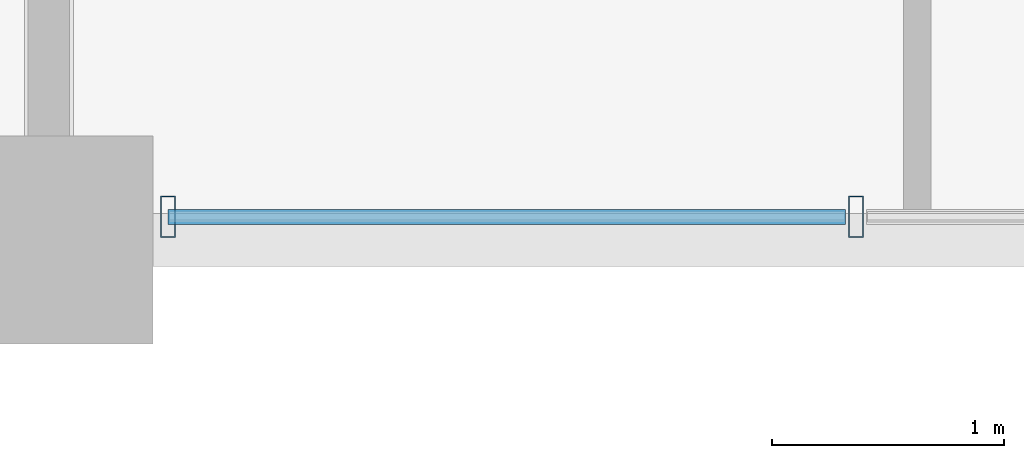
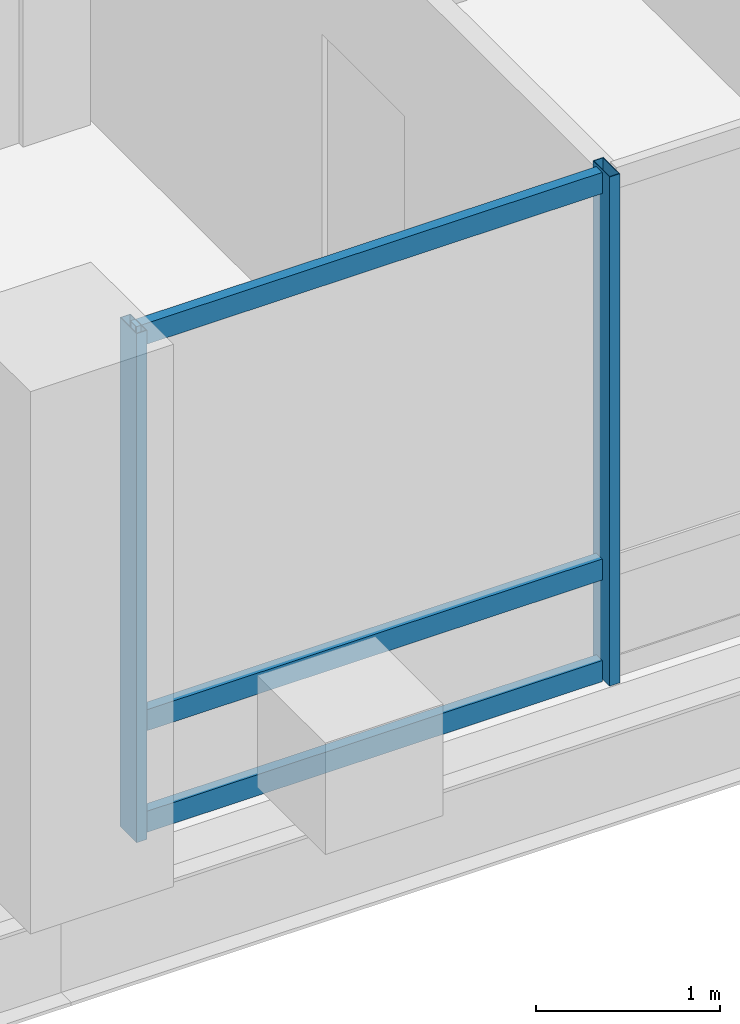
# One storey, part 2 of 22: 5 members, 1 element without a shape of its own.
"""IFC4 building model written with IfcOpenShell, lengths in metres."""

from ifc_helpers import new_model, si_unit, direction, frame, origin, origin_2d, place, context, subcontext, project, spatial, hollow_rectangle, extrude, material, layer, layer_set, material_profile, profile_set, type_object, element, aggregate, save


model = new_model("IFC4")

# Units and contexts
model_context = context("Model", 3, precision=1e-05, world=origin(), true_north=direction((0.0, 1.0)))
body_context = subcontext(model_context, "Body", "Model", "MODEL_VIEW")
ifc_project = project(units=[si_unit("LENGTHUNIT", "METRE"), si_unit("AREAUNIT", "SQUARE_METRE"), si_unit("VOLUMEUNIT", "CUBIC_METRE"), si_unit("PLANEANGLEUNIT", "RADIAN"), si_unit("MASSUNIT", "GRAM", prefix="KILO")], contexts=[model_context])

# Site, building, storey
site_placement = place(None, origin())
site = spatial("IfcSite", under=ifc_project, at=site_placement, CompositionType="ELEMENT")
building_placement = place(site_placement, origin())
building = spatial("IfcBuilding", under=site, at=building_placement, Name="Barlavira Tower and Art Museum", CompositionType="ELEMENT")
storey_placement = place(building_placement, frame((0.0, 0.0, 243.89990234375)))
storey = spatial("IfcBuildingStorey", under=building, at=storey_placement, Name="L63", CompositionType="ELEMENT", Elevation=243.89990234375)

# Curtain wall, members
ifc_material_1 = material(Name="Low-iron coastal laminated glass", Category="glass")
ifc_layer = layer(ifc_material_1, 0.2099609375, Name="Low-iron coastal laminated glass")
ifc_layer_set = layer_set([ifc_layer], Name="Low-iron coastal laminated glass")
curtain_wall_type = type_object("IfcCurtainWallType", Name="Pale-Metal Unitised Curtain Wall Zone 4", PredefinedType="NOTDEFINED", material=ifc_layer_set)
curtain_wall_placement = place(storey_placement, origin())
curtain_wall = element("IfcCurtainWall", 1, at=curtain_wall_placement, inside=storey, type_object=curtain_wall_type, Name="L63 Curtain Wall CW4-L63-S-B2", PredefinedType="NOTDEFINED")
ifc_material_2 = material(Name="Pale anodised aluminium", Category="aluminium")
ifc_material_profile_1 = material_profile(ifc_material_2, hollow_rectangle(XDim=0.06494140625, YDim=0.179931640625, WallThickness=0.00390625, at=origin_2d()), Name="ALU-MULL 65x180x4")
ifc_profile_set_1 = profile_set([ifc_material_profile_1], Name="Pale anodised aluminium")
member_type_1 = type_object("IfcMemberType", Name="Curtain Wall Pale-Metal Mullion 65x180", PredefinedType="MULLION", material=ifc_profile_set_1)
member_1_placement = place(storey_placement, frame((-5.985107421875, -19.89990234375, 0.0), z_axis=(0.0, 0.0, 1.0), x_axis=(1.0, 0.0, 0.0)))
member_1 = element("IfcMember", 2, at=member_1_placement, type_object=member_type_1, Name="CW4-L63-S-B2 Mullion 0", PredefinedType="MULLION", context=body_context, shape_type="SweptSolid", body=[
    extrude(hollow_rectangle(XDim=0.06494140625, YDim=0.179931640625, WallThickness=0.00390625, at=origin_2d()), origin(), (0.0, 0.0, 1.0), 3.380126953125),
])
member_2_placement = place(storey_placement, frame((-3.014892578125, -19.89990234375, 0.0), z_axis=(0.0, 0.0, 1.0), x_axis=(1.0, 0.0, 0.0)))
member_2 = element("IfcMember", 3, at=member_2_placement, type_object=member_type_1, Name="CW4-L63-S-B2 Mullion 1", PredefinedType="MULLION", context=body_context, shape_type="SweptSolid", body=[
    extrude(hollow_rectangle(XDim=0.06494140625, YDim=0.179931640625, WallThickness=0.00390625, at=origin_2d()), origin(), (0.0, 0.0, 1.0), 3.380126953125),
])
ifc_material_profile_2 = material_profile(ifc_material_2, hollow_rectangle(XDim=0.06494140625, YDim=0.139892578125, WallThickness=0.00390625, at=origin_2d()), Name="ALU-TRAN 65x140x4")
ifc_profile_set_2 = profile_set([ifc_material_profile_2], Name="Pale anodised aluminium")
member_type_2 = type_object("IfcMemberType", Name="Curtain Wall Pale-Metal Transom 65x140", PredefinedType="USERDEFINED", material=ifc_profile_set_2)
member_3_placement = place(storey_placement, frame((-5.985107421875, -19.89990234375, 0.070068359375), z_axis=(1.0, 0.0, 0.0), x_axis=(0.0, 1.0, 0.0)))
member_3 = element("IfcMember", 4, at=member_3_placement, type_object=member_type_2, Name="CW4-L63-S-B2 Transom 0.1", ObjectType="TRANSOM", PredefinedType="USERDEFINED", context=body_context, shape_type="SweptSolid", body=[
    extrude(hollow_rectangle(XDim=0.06494140625, YDim=0.139892578125, WallThickness=0.00390625, at=origin_2d()), origin(), (0.0, 0.0, 1.0), 2.925048828125),
])
member_4_placement = place(storey_placement, frame((-5.985107421875, -19.89990234375, 0.744140625), z_axis=(1.0, 0.0, 0.0), x_axis=(0.0, 1.0, 0.0)))
member_4 = element("IfcMember", 5, at=member_4_placement, type_object=member_type_2, Name="CW4-L63-S-B2 Transom 0.2", ObjectType="TRANSOM", PredefinedType="USERDEFINED", context=body_context, shape_type="SweptSolid", body=[
    extrude(hollow_rectangle(XDim=0.06494140625, YDim=0.139892578125, WallThickness=0.00390625, at=origin_2d()), origin(), (0.0, 0.0, 1.0), 2.925048828125),
])
member_5_placement = place(storey_placement, frame((-5.985107421875, -19.89990234375, 3.31005859375), z_axis=(1.0, 0.0, 0.0), x_axis=(0.0, 1.0, 0.0)))
member_5 = element("IfcMember", 6, at=member_5_placement, type_object=member_type_2, Name="CW4-L63-S-B2 Transom 0.3", ObjectType="TRANSOM", PredefinedType="USERDEFINED", context=body_context, shape_type="SweptSolid", body=[
    extrude(hollow_rectangle(XDim=0.06494140625, YDim=0.139892578125, WallThickness=0.00390625, at=origin_2d()), origin(), (0.0, 0.0, 1.0), 2.925048828125),
])
aggregate(curtain_wall, [member_1, member_2, member_3, member_4, member_5])

save(model, "model.ifc")
